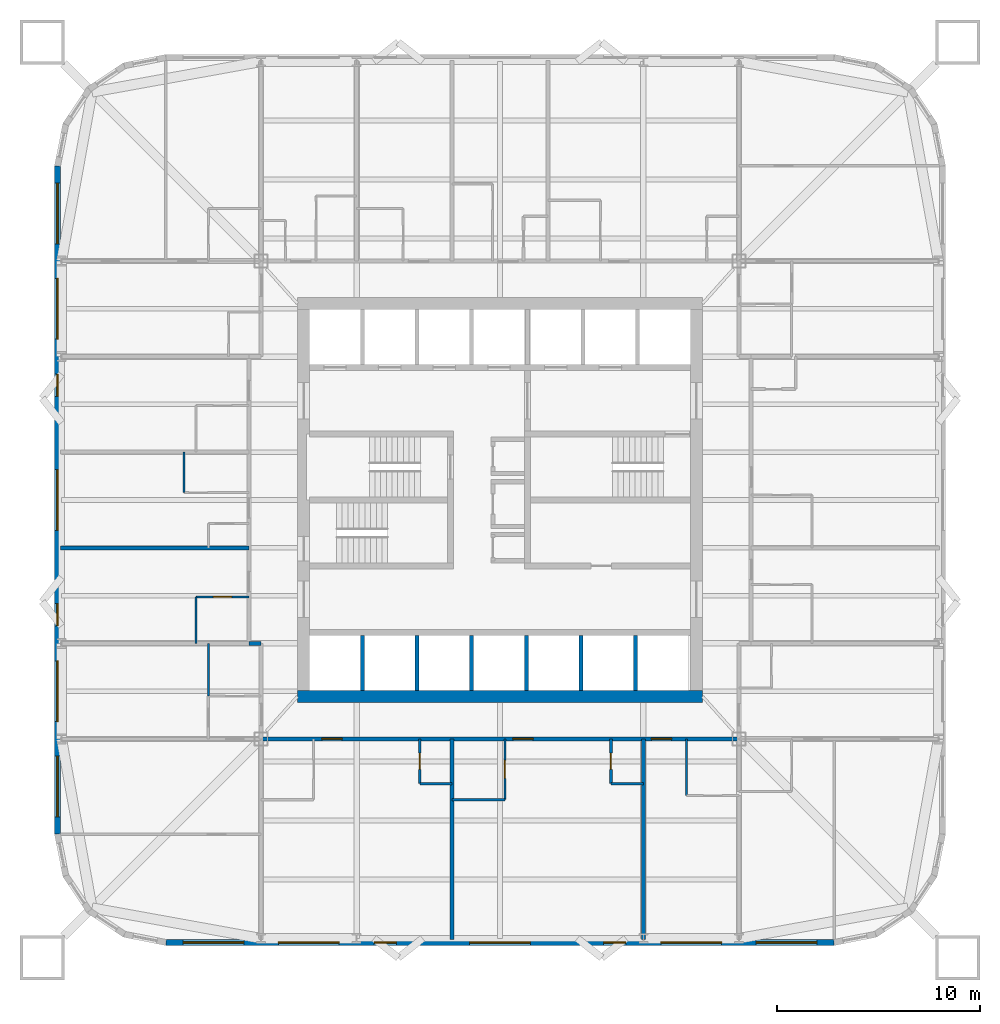
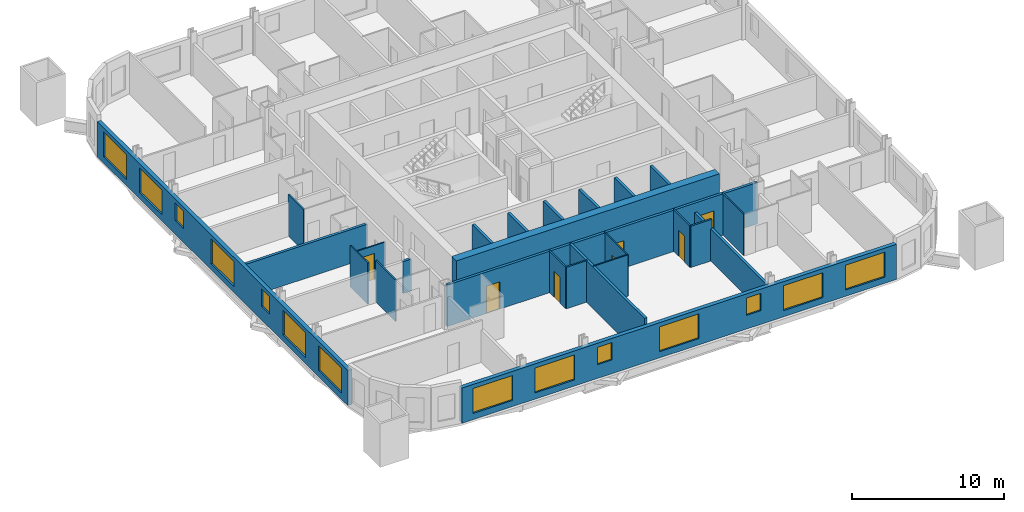
# One storey, part 3 of 9: 25 walls, 14 windows, 7 doors, 21 openings.
"""IFC4 building model written with IfcOpenShell, lengths in metres."""

from ifc_helpers import new_model, si_unit, direction, frame, frame_2d, origin, place, context, subcontext, project, spatial, rectangle, extrude, material, layer, layer_set, type_object, element, fill, save


model = new_model("IFC4")

# Units and contexts
model_context = context("Model", 3, precision=1e-05, world=origin(), true_north=direction((0.0, 1.0)))
body_context = subcontext(model_context, "Body", "Model", "MODEL_VIEW")
ifc_project = project(units=[si_unit("LENGTHUNIT", "METRE"), si_unit("AREAUNIT", "SQUARE_METRE"), si_unit("VOLUMEUNIT", "CUBIC_METRE"), si_unit("PLANEANGLEUNIT", "RADIAN"), si_unit("MASSUNIT", "GRAM", prefix="KILO")], contexts=[model_context])

# Site, building, storey
site_placement = place(None, origin())
site = spatial("IfcSite", under=ifc_project, at=site_placement, CompositionType="ELEMENT")
building_placement = place(site_placement, origin())
building = spatial("IfcBuilding", under=site, at=building_placement, Name="Turquesa Mirador Hotel Tower", CompositionType="ELEMENT")
storey_placement = place(building_placement, frame((0.0, 0.0, 49.5)))
storey = spatial("IfcBuildingStorey", under=building, at=storey_placement, Name="L12", CompositionType="ELEMENT", Elevation=49.5)

# Wall
ifc_material_1 = material(Name="Gypsum board on steel studs", Category="steel")
ifc_layer_1 = layer(ifc_material_1, 0.10009765625)
ifc_layer_set_1 = layer_set([ifc_layer_1], Name="BATHROOM WALL 100")
wall_type_1 = type_object("IfcWallType", Name="BATHROOM WALL 100", PredefinedType="PARTITIONING", material=ifc_layer_set_1)
wall_1_placement = place(storey_placement, frame((52.639892578125, 30.199951171875, 0.0), z_axis=(0.0, 0.0, 1.0), x_axis=(1.0, 0.0, 0.0)))
element("IfcWall", 1, at=wall_1_placement, inside=storey, type_object=wall_type_1, Name="Partition L12 011", PredefinedType="PARTITIONING", context=body_context, shape_type="SweptSolid", body=[
    extrude(rectangle(XDim=2.60009765625, YDim=0.10009765625, at=frame_2d((1.300048828125, 0.0))), origin(), (0.0, 0.0, 1.0), 3.330078125),
])

# Wall, opening, door
wall_2_placement = place(storey_placement, frame((40.0, 40.219970703125, 0.0), z_axis=(0.0, 0.0, 1.0), x_axis=(1.0, 0.0, 0.0)))
wall_2 = element("IfcWall", 2, at=wall_2_placement, inside=storey, type_object=wall_type_1, Name="Partition L12 016", PredefinedType="PARTITIONING", context=body_context, shape_type="SweptSolid", body=[
    extrude(rectangle(XDim=2.60009765625, YDim=0.10009765625, at=frame_2d((1.300048828125, 0.0))), origin(), (0.0, 0.0, 1.0), 2.722900390625),
])
opening_1_placement = place(wall_2_placement, frame((0.85009765625, 0.0, 0.0)))
opening_1 = element("IfcOpeningElement", 3, at=opening_1_placement, cuts=wall_2, Name="Opening D02", PredefinedType="OPENING", context=body_context, shape_type="SweptSolid", body=[
    extrude(rectangle(XDim=0.89990234375, YDim=2.10009765625, at=frame_2d((0.449951171875, 1.050048828125))), frame((0.0, 0.06005859375, 0.0), z_axis=(0.0, -1.0, 0.0), x_axis=(1.0, 0.0, 0.0)), (0.0, 0.0, 1.0), 0.1201171875),
])
ifc_material_2 = material(Name="Timber veneered door", Category="wood")
door_type_1 = type_object("IfcDoorType", Name="DOOR 900X2100 EN-SUITE", OperationType="SINGLE_SWING_RIGHT", PredefinedType="DOOR", material=ifc_material_2)
door_1_placement = place(opening_1_placement, origin())
door_1 = element("IfcDoor", 4, at=door_1_placement, inside=storey, type_object=door_type_1, Name="Door 1210B", OperationType="SINGLE_SWING_RIGHT", OverallHeight=2.10009765625, OverallWidth=0.89990234375, PredefinedType="DOOR", context=body_context, shape_type="SweptSolid", body=[
    extrude(rectangle(XDim=0.89990234375, YDim=2.10009765625, at=frame_2d((0.449951171875, 1.050048828125))), frame((0.0, 0.02490234375, 0.0), z_axis=(0.0, -1.0, 0.0), x_axis=(1.0, 0.0, 0.0)), (0.0, 0.0, 1.0), 0.050048828125),
])
fill(opening_1, door_1)

# Walls
wall_3_placement = place(storey_placement, frame((40.60009765625, 35.320068359375, 0.0), z_axis=(0.0, 0.0, 1.0), x_axis=(0.0, 1.0, 0.0)))
element("IfcWall", 5, at=wall_3_placement, inside=storey, type_object=wall_type_1, Name="Partition L12 056", PredefinedType="PARTITIONING", context=body_context, shape_type="SweptSolid", body=[
    extrude(rectangle(XDim=2.599853515625, YDim=0.10009765625, at=frame_2d((1.2998046875, 0.0))), origin(), (0.0, 0.0, 1.0), 3.330078125),
])
wall_4_placement = place(storey_placement, frame((40.0, 37.919921875, 0.0), z_axis=(0.0, 0.0, 1.0), x_axis=(0.0, 1.0, 0.0)))
element("IfcWall", 6, at=wall_4_placement, inside=storey, type_object=wall_type_1, Name="Partition L12 060", PredefinedType="PARTITIONING", context=body_context, shape_type="SweptSolid", body=[
    extrude(rectangle(XDim=2.300048828125, YDim=0.10009765625, at=frame_2d((1.14990234375, 0.0))), origin(), (0.0, 0.0, 1.0), 3.330078125),
])
wall_5_placement = place(storey_placement, frame((39.39990234375, 45.360107421875, 0.0), z_axis=(0.0, 0.0, 1.0), x_axis=(0.0, 1.0, 0.0)))
element("IfcWall", 7, at=wall_5_placement, inside=storey, type_object=wall_type_1, Name="Partition L12 062", PredefinedType="PARTITIONING", context=body_context, shape_type="SweptSolid", body=[
    extrude(rectangle(XDim=2.0, YDim=0.10009765625, at=frame_2d((1.0, 0.0))), origin(), (0.0, 0.0, 1.0), 3.330078125),
])

# Wall, opening, door
wall_6_placement = place(storey_placement, frame((55.239990234375, 30.199951171875, 0.0), z_axis=(0.0, 0.0, 1.0), x_axis=(0.0, 1.0, 0.0)))
wall_6 = element("IfcWall", 8, at=wall_6_placement, inside=storey, type_object=wall_type_1, Name="Partition L12 071", PredefinedType="PARTITIONING", context=body_context, shape_type="SweptSolid", body=[
    extrude(rectangle(XDim=3.0, YDim=0.10009765625, at=frame_2d((1.5, 0.0))), origin(), (0.0, 0.0, 1.0), 3.330078125),
])
opening_2_placement = place(wall_6_placement, frame((1.050048828125, 0.0, 0.0)))
opening_2 = element("IfcOpeningElement", 9, at=opening_2_placement, cuts=wall_6, Name="Opening D02", PredefinedType="OPENING", context=body_context, shape_type="SweptSolid", body=[
    extrude(rectangle(XDim=0.89990234375, YDim=2.10009765625, at=frame_2d((0.449951171875, 1.050048828125))), frame((0.0, 0.06005859375, 0.0), z_axis=(0.0, -1.0, 0.0), x_axis=(1.0, 0.0, 0.0)), (0.0, 0.0, 1.0), 0.1201171875),
])
door_2_placement = place(opening_2_placement, origin())
door_2 = element("IfcDoor", 10, at=door_2_placement, inside=storey, type_object=door_type_1, Name="Door 1206B", OperationType="SINGLE_SWING_RIGHT", OverallHeight=2.10009765625, OverallWidth=0.89990234375, PredefinedType="DOOR", context=body_context, shape_type="SweptSolid", body=[
    extrude(rectangle(XDim=0.89990234375, YDim=2.10009765625, at=frame_2d((0.449951171875, 1.050048828125))), frame((0.0, 0.02490234375, 0.0), z_axis=(0.0, -1.0, 0.0), x_axis=(1.0, 0.0, 0.0)), (0.0, 0.0, 1.0), 0.050048828125),
])
fill(opening_2, door_2)

# Walls
wall_7_placement = place(storey_placement, frame((64.199951171875, 30.39990234375, 0.0), z_axis=(0.0, 0.0, 1.0), x_axis=(0.0, 1.0, 0.0)))
element("IfcWall", 11, at=wall_7_placement, inside=storey, type_object=wall_type_1, Name="Partition L12 092", PredefinedType="PARTITIONING", context=body_context, shape_type="SweptSolid", body=[
    extrude(rectangle(XDim=2.800048828125, YDim=0.10009765625, at=frame_2d((1.39990234375, 0.0))), origin(), (0.0, 0.0, 1.0), 3.330078125),
])
ifc_material_3 = material(Name="Concrete C50/60", Category="concrete")
ifc_layer_2 = layer(ifc_material_3, 0.60009765625)
ifc_layer_set_2 = layer_set([ifc_layer_2], Name="CORE WALL 600")
wall_type_2 = type_object("IfcWallType", Name="CORE WALL 600", PredefinedType="SHEAR", material=ifc_layer_set_2)
wall_8_placement = place(storey_placement, frame((45.0, 35.300048828125, 0.0), z_axis=(0.0, 0.0, 1.0), x_axis=(1.0, 0.0, 0.0)))
element("IfcWall", 12, at=wall_8_placement, inside=storey, type_object=wall_type_2, Name="Core wall S", PredefinedType="SHEAR", context=body_context, shape_type="SweptSolid", body=[
    extrude(rectangle(XDim=20.0, YDim=0.60009765625, at=frame_2d((10.0, 0.0))), origin(), (0.0, 0.0, 1.0), 3.5),
])

# Wall, openings, doors
ifc_material_4 = material(Name="Fire-rated gypsum board on steel studs", Category="steel")
ifc_layer_3 = layer(ifc_material_4, 0.199951171875)
ifc_layer_set_3 = layer_set([ifc_layer_3], Name="CORRIDOR WALL 200")
wall_type_3 = type_object("IfcWallType", Name="CORRIDOR WALL 200", PredefinedType="PARTITIONING", material=ifc_layer_set_3)
wall_9_placement = place(storey_placement, frame((43.199951171875, 33.199951171875, 0.0), z_axis=(0.0, 0.0, 1.0), x_axis=(1.0, 0.0, 0.0)))
wall_9 = element("IfcWall", 13, at=wall_9_placement, inside=storey, type_object=wall_type_3, Name="Partition L12 003", PredefinedType="PARTITIONING", context=body_context, shape_type="SweptSolid", body=[
    extrude(rectangle(XDim=23.60009765625, YDim=0.199951171875, at=frame_2d((11.800048828125, 0.0))), origin(), (0.0, 0.0, 1.0), 3.330078125),
])
opening_3_placement = place(wall_9_placement, frame((3.0, 0.0, 0.0)))
opening_3 = element("IfcOpeningElement", 14, at=opening_3_placement, cuts=wall_9, Name="Opening D01", PredefinedType="OPENING", context=body_context, shape_type="SweptSolid", body=[
    extrude(rectangle(XDim=1.0, YDim=2.199951171875, at=frame_2d((0.5, 1.10009765625))), frame((0.0, 0.10986328125, 0.0), z_axis=(0.0, -1.0, 0.0), x_axis=(1.0, 0.0, 0.0)), (0.0, 0.0, 1.0), 0.219970703125),
])
opening_4_placement = place(wall_9_placement, frame((12.43994140625, 0.0, 0.0)))
opening_4 = element("IfcOpeningElement", 15, at=opening_4_placement, cuts=wall_9, Name="Opening D01", PredefinedType="OPENING", context=body_context, shape_type="SweptSolid", body=[
    extrude(rectangle(XDim=1.0, YDim=2.199951171875, at=frame_2d((0.5, 1.10009765625))), frame((0.0, 0.10986328125, 0.0), z_axis=(0.0, -1.0, 0.0), x_axis=(1.0, 0.0, 0.0)), (0.0, 0.0, 1.0), 0.219970703125),
])
opening_5_placement = place(wall_9_placement, frame((19.280029296875, 0.0, 0.0)))
opening_5 = element("IfcOpeningElement", 16, at=opening_5_placement, cuts=wall_9, Name="Opening D01", PredefinedType="OPENING", context=body_context, shape_type="SweptSolid", body=[
    extrude(rectangle(XDim=1.0, YDim=2.199951171875, at=frame_2d((0.5, 1.10009765625))), frame((0.0, 0.10986328125, 0.0), z_axis=(0.0, -1.0, 0.0), x_axis=(1.0, 0.0, 0.0)), (0.0, 0.0, 1.0), 0.219970703125),
])
ifc_material_5 = material(Name="Timber veneered fire door", Category="wood")
door_type_2 = type_object("IfcDoorType", Name="DOOR 1000X2200 GUEST ENTRY", OperationType="SINGLE_SWING_LEFT", PredefinedType="DOOR", material=ifc_material_5)
door_3_placement = place(opening_3_placement, origin())
door_3 = element("IfcDoor", 17, at=door_3_placement, inside=storey, type_object=door_type_2, Name="Door 1205", OperationType="SINGLE_SWING_LEFT", OverallHeight=2.199951171875, OverallWidth=1.0, PredefinedType="DOOR", context=body_context, shape_type="SweptSolid", body=[
    extrude(rectangle(XDim=1.0, YDim=2.199951171875, at=frame_2d((0.5, 1.10009765625))), frame((0.0, 0.02490234375, 0.0), z_axis=(0.0, -1.0, 0.0), x_axis=(1.0, 0.0, 0.0)), (0.0, 0.0, 1.0), 0.050048828125),
])
fill(opening_3, door_3)
door_4_placement = place(opening_4_placement, origin())
door_4 = element("IfcDoor", 18, at=door_4_placement, inside=storey, type_object=door_type_2, Name="Door 1206", OperationType="SINGLE_SWING_LEFT", OverallHeight=2.199951171875, OverallWidth=1.0, PredefinedType="DOOR", context=body_context, shape_type="SweptSolid", body=[
    extrude(rectangle(XDim=1.0, YDim=2.199951171875, at=frame_2d((0.5, 1.10009765625))), frame((0.0, 0.02490234375, 0.0), z_axis=(0.0, -1.0, 0.0), x_axis=(1.0, 0.0, 0.0)), (0.0, 0.0, 1.0), 0.050048828125),
])
fill(opening_4, door_4)
door_5_placement = place(opening_5_placement, origin())
door_5 = element("IfcDoor", 19, at=door_5_placement, inside=storey, type_object=door_type_2, Name="Door 1207", OperationType="SINGLE_SWING_LEFT", OverallHeight=2.199951171875, OverallWidth=1.0, PredefinedType="DOOR", context=body_context, shape_type="SweptSolid", body=[
    extrude(rectangle(XDim=1.0, YDim=2.199951171875, at=frame_2d((0.5, 1.10009765625))), frame((0.0, 0.02490234375, 0.0), z_axis=(0.0, -1.0, 0.0), x_axis=(1.0, 0.0, 0.0)), (0.0, 0.0, 1.0), 0.050048828125),
])
fill(opening_5, door_5)

# Wall
wall_10_placement = place(storey_placement, frame((42.60009765625, 37.919921875, 0.0), z_axis=(0.0, 0.0, 1.0), x_axis=(1.0, 0.0, 0.0)))
element("IfcWall", 20, at=wall_10_placement, inside=storey, type_object=wall_type_3, Name="Partition L12 017", PredefinedType="PARTITIONING", context=body_context, shape_type="SweptSolid", body=[
    extrude(rectangle(XDim=0.599853515625, YDim=0.199951171875, at=frame_2d((0.2998046875, 0.0))), origin(), (0.0, 0.0, 1.0), 2.572998046875),
])

# Wall, openings, windows
ifc_material_6 = material(Name="Limestone cladding on concrete block", Category="masonry")
ifc_layer_4 = layer(ifc_material_6, 0.300048828125)
ifc_layer_set_4 = layer_set([ifc_layer_4], Name="FACADE WALL 300 STONE SCREEN")
wall_type_4 = type_object("IfcWallType", Name="FACADE WALL 300 STONE SCREEN", PredefinedType="SOLIDWALL", material=ifc_layer_set_4)
wall_11_placement = place(storey_placement, frame((33.14990234375, 61.5, 0.0), z_axis=(0.0, 0.0, 1.0), x_axis=(0.0, -1.0, 0.0)))
wall_11 = element("IfcWall", 21, at=wall_11_placement, inside=storey, type_object=wall_type_4, Name="Facade wall L12 14", PredefinedType="SOLIDWALL", context=body_context, shape_type="SweptSolid", body=[
    extrude(rectangle(XDim=33.0, YDim=0.300048828125, at=frame_2d((16.5, 0.0))), origin(), (0.0, 0.0, 1.0), 2.830078125),
])
opening_6_placement = place(wall_11_placement, frame((0.85009765625, 0.0, 0.5)))
opening_6 = element("IfcOpeningElement", 22, at=opening_6_placement, cuts=wall_11, Name="Opening WN1", PredefinedType="OPENING", context=body_context, shape_type="SweptSolid", body=[
    extrude(rectangle(XDim=3.0, YDim=2.0, at=frame_2d((1.5, 1.0))), frame((0.0, 0.159912109375, 0.0), z_axis=(0.0, -1.0, 0.0), x_axis=(1.0, 0.0, 0.0)), (0.0, 0.0, 1.0), 0.320068359375),
])
opening_7_placement = place(wall_11_placement, frame((5.56005859375, 0.0, 0.5)))
opening_7 = element("IfcOpeningElement", 23, at=opening_7_placement, cuts=wall_11, Name="Opening WN1", PredefinedType="OPENING", context=body_context, shape_type="SweptSolid", body=[
    extrude(rectangle(XDim=3.0, YDim=2.0, at=frame_2d((1.5, 1.0))), frame((0.0, 0.159912109375, 0.0), z_axis=(0.0, -1.0, 0.0), x_axis=(1.0, 0.0, 0.0)), (0.0, 0.0, 1.0), 0.320068359375),
])
opening_8_placement = place(wall_11_placement, frame((10.280029296875, 0.0, 1.10009765625)))
opening_8 = element("IfcOpeningElement", 24, at=opening_8_placement, cuts=wall_11, Name="Opening WN37", PredefinedType="OPENING", context=body_context, shape_type="SweptSolid", body=[
    extrude(rectangle(XDim=1.10009765625, YDim=1.39990234375, at=frame_2d((0.550048828125, 0.699951171875))), frame((0.0, 0.159912109375, 0.0), z_axis=(0.0, -1.0, 0.0), x_axis=(1.0, 0.0, 0.0)), (0.0, 0.0, 1.0), 0.320068359375),
])
opening_9_placement = place(wall_11_placement, frame((15.0, 0.0, 0.5)))
opening_9 = element("IfcOpeningElement", 25, at=opening_9_placement, cuts=wall_11, Name="Opening WN1", PredefinedType="OPENING", context=body_context, shape_type="SweptSolid", body=[
    extrude(rectangle(XDim=3.0, YDim=2.0, at=frame_2d((1.5, 1.0))), frame((0.0, 0.159912109375, 0.0), z_axis=(0.0, -1.0, 0.0), x_axis=(1.0, 0.0, 0.0)), (0.0, 0.0, 1.0), 0.320068359375),
])
opening_10_placement = place(wall_11_placement, frame((21.6201171875, 0.0, 1.10009765625)))
opening_10 = element("IfcOpeningElement", 26, at=opening_10_placement, cuts=wall_11, Name="Opening WN37", PredefinedType="OPENING", context=body_context, shape_type="SweptSolid", body=[
    extrude(rectangle(XDim=1.10009765625, YDim=1.39990234375, at=frame_2d((0.550048828125, 0.699951171875))), frame((0.0, 0.159912109375, 0.0), z_axis=(0.0, -1.0, 0.0), x_axis=(1.0, 0.0, 0.0)), (0.0, 0.0, 1.0), 0.320068359375),
])
opening_11_placement = place(wall_11_placement, frame((24.43994140625, 0.0, 0.5)))
opening_11 = element("IfcOpeningElement", 27, at=opening_11_placement, cuts=wall_11, Name="Opening WN1", PredefinedType="OPENING", context=body_context, shape_type="SweptSolid", body=[
    extrude(rectangle(XDim=3.0, YDim=2.0, at=frame_2d((1.5, 1.0))), frame((0.0, 0.159912109375, 0.0), z_axis=(0.0, -1.0, 0.0), x_axis=(1.0, 0.0, 0.0)), (0.0, 0.0, 1.0), 0.320068359375),
])
opening_12_placement = place(wall_11_placement, frame((29.14990234375, 0.0, 0.5)))
opening_12 = element("IfcOpeningElement", 28, at=opening_12_placement, cuts=wall_11, Name="Opening WN1", PredefinedType="OPENING", context=body_context, shape_type="SweptSolid", body=[
    extrude(rectangle(XDim=3.0, YDim=2.0, at=frame_2d((1.5, 1.0))), frame((0.0, 0.159912109375, 0.0), z_axis=(0.0, -1.0, 0.0), x_axis=(1.0, 0.0, 0.0)), (0.0, 0.0, 1.0), 0.320068359375),
])
ifc_material_7 = material(Name="Ceramic-fritted laminated glass", Category="glass")
window_type_1 = type_object("IfcWindowType", Name="FRITTED WINDOW 1100X1400", PartitioningType="DOUBLE_PANEL_HORIZONTAL", PredefinedType="WINDOW", material=ifc_material_7)
window_1_placement = place(opening_8_placement, origin())
window_1 = element("IfcWindow", 29, at=window_1_placement, inside=storey, type_object=window_type_1, Name="Window L12", OverallHeight=1.39990234375, OverallWidth=1.10009765625, PartitioningType="SINGLE_PANEL", PredefinedType="WINDOW", context=body_context, shape_type="SweptSolid", body=[
    extrude(rectangle(XDim=1.10009765625, YDim=1.39990234375, at=frame_2d((0.550048828125, 0.699951171875))), frame((0.0, 0.030029296875, 0.0), z_axis=(0.0, -1.0, 0.0), x_axis=(1.0, 0.0, 0.0)), (0.0, 0.0, 1.0), 0.06005859375),
])
fill(opening_8, window_1)
window_2_placement = place(opening_10_placement, origin())
window_2 = element("IfcWindow", 30, at=window_2_placement, inside=storey, type_object=window_type_1, Name="Window L12", OverallHeight=1.39990234375, OverallWidth=1.10009765625, PartitioningType="SINGLE_PANEL", PredefinedType="WINDOW", context=body_context, shape_type="SweptSolid", body=[
    extrude(rectangle(XDim=1.10009765625, YDim=1.39990234375, at=frame_2d((0.550048828125, 0.699951171875))), frame((0.0, 0.030029296875, 0.0), z_axis=(0.0, -1.0, 0.0), x_axis=(1.0, 0.0, 0.0)), (0.0, 0.0, 1.0), 0.06005859375),
])
fill(opening_10, window_2)
ifc_material_8 = material(Name="Ceramic-fritted laminated glass", Category="glass")
window_type_2 = type_object("IfcWindowType", Name="FRITTED WINDOW 3000X2000", PartitioningType="DOUBLE_PANEL_HORIZONTAL", PredefinedType="WINDOW", material=ifc_material_8)
window_3_placement = place(opening_6_placement, origin())
window_3 = element("IfcWindow", 31, at=window_3_placement, inside=storey, type_object=window_type_2, Name="Window L12", OverallHeight=2.0, OverallWidth=3.0, PartitioningType="SINGLE_PANEL", PredefinedType="WINDOW", context=body_context, shape_type="SweptSolid", body=[
    extrude(rectangle(XDim=3.0, YDim=2.0, at=frame_2d((1.5, 1.0))), frame((0.0, 0.030029296875, 0.0), z_axis=(0.0, -1.0, 0.0), x_axis=(1.0, 0.0, 0.0)), (0.0, 0.0, 1.0), 0.06005859375),
])
fill(opening_6, window_3)
window_4_placement = place(opening_7_placement, origin())
window_4 = element("IfcWindow", 32, at=window_4_placement, inside=storey, type_object=window_type_2, Name="Window L12", OverallHeight=2.0, OverallWidth=3.0, PartitioningType="SINGLE_PANEL", PredefinedType="WINDOW", context=body_context, shape_type="SweptSolid", body=[
    extrude(rectangle(XDim=3.0, YDim=2.0, at=frame_2d((1.5, 1.0))), frame((0.0, 0.030029296875, 0.0), z_axis=(0.0, -1.0, 0.0), x_axis=(1.0, 0.0, 0.0)), (0.0, 0.0, 1.0), 0.06005859375),
])
fill(opening_7, window_4)
window_5_placement = place(opening_9_placement, origin())
window_5 = element("IfcWindow", 33, at=window_5_placement, inside=storey, type_object=window_type_2, Name="Window L12", OverallHeight=2.0, OverallWidth=3.0, PartitioningType="SINGLE_PANEL", PredefinedType="WINDOW", context=body_context, shape_type="SweptSolid", body=[
    extrude(rectangle(XDim=3.0, YDim=2.0, at=frame_2d((1.5, 1.0))), frame((0.0, 0.030029296875, 0.0), z_axis=(0.0, -1.0, 0.0), x_axis=(1.0, 0.0, 0.0)), (0.0, 0.0, 1.0), 0.06005859375),
])
fill(opening_9, window_5)
window_6_placement = place(opening_11_placement, origin())
window_6 = element("IfcWindow", 34, at=window_6_placement, inside=storey, type_object=window_type_2, Name="Window L12", OverallHeight=2.0, OverallWidth=3.0, PartitioningType="SINGLE_PANEL", PredefinedType="WINDOW", context=body_context, shape_type="SweptSolid", body=[
    extrude(rectangle(XDim=3.0, YDim=2.0, at=frame_2d((1.5, 1.0))), frame((0.0, 0.030029296875, 0.0), z_axis=(0.0, -1.0, 0.0), x_axis=(1.0, 0.0, 0.0)), (0.0, 0.0, 1.0), 0.06005859375),
])
fill(opening_11, window_6)
window_7_placement = place(opening_12_placement, origin())
window_7 = element("IfcWindow", 35, at=window_7_placement, inside=storey, type_object=window_type_2, Name="Window L12", OverallHeight=2.0, OverallWidth=3.0, PartitioningType="SINGLE_PANEL", PredefinedType="WINDOW", context=body_context, shape_type="SweptSolid", body=[
    extrude(rectangle(XDim=3.0, YDim=2.0, at=frame_2d((1.5, 1.0))), frame((0.0, 0.030029296875, 0.0), z_axis=(0.0, -1.0, 0.0), x_axis=(1.0, 0.0, 0.0)), (0.0, 0.0, 1.0), 0.06005859375),
])
fill(opening_12, window_7)

wall_12_placement = place(storey_placement, frame((38.5, 23.14990234375, 0.0), z_axis=(0.0, 0.0, 1.0), x_axis=(1.0, 0.0, 0.0)))
wall_12 = element("IfcWall", 36, at=wall_12_placement, inside=storey, type_object=wall_type_4, Name="Facade wall L12 19", PredefinedType="SOLIDWALL", context=body_context, shape_type="SweptSolid", body=[
    extrude(rectangle(XDim=33.0, YDim=0.300048828125, at=frame_2d((16.5, 0.0))), origin(), (0.0, 0.0, 1.0), 2.830078125),
])
opening_13_placement = place(wall_12_placement, frame((0.85009765625, 0.0, 0.5)))
opening_13 = element("IfcOpeningElement", 37, at=opening_13_placement, cuts=wall_12, Name="Opening WN1", PredefinedType="OPENING", context=body_context, shape_type="SweptSolid", body=[
    extrude(rectangle(XDim=3.0, YDim=2.0, at=frame_2d((1.5, 1.0))), frame((0.0, 0.159912109375, 0.0), z_axis=(0.0, -1.0, 0.0), x_axis=(1.0, 0.0, 0.0)), (0.0, 0.0, 1.0), 0.320068359375),
])
opening_14_placement = place(wall_12_placement, frame((5.56005859375, 0.0, 0.5)))
opening_14 = element("IfcOpeningElement", 38, at=opening_14_placement, cuts=wall_12, Name="Opening WN1", PredefinedType="OPENING", context=body_context, shape_type="SweptSolid", body=[
    extrude(rectangle(XDim=3.0, YDim=2.0, at=frame_2d((1.5, 1.0))), frame((0.0, 0.159912109375, 0.0), z_axis=(0.0, -1.0, 0.0), x_axis=(1.0, 0.0, 0.0)), (0.0, 0.0, 1.0), 0.320068359375),
])
opening_15_placement = place(wall_12_placement, frame((10.280029296875, 0.0, 1.10009765625)))
opening_15 = element("IfcOpeningElement", 39, at=opening_15_placement, cuts=wall_12, Name="Opening WN37", PredefinedType="OPENING", context=body_context, shape_type="SweptSolid", body=[
    extrude(rectangle(XDim=1.10009765625, YDim=1.39990234375, at=frame_2d((0.550048828125, 0.699951171875))), frame((0.0, 0.159912109375, 0.0), z_axis=(0.0, -1.0, 0.0), x_axis=(1.0, 0.0, 0.0)), (0.0, 0.0, 1.0), 0.320068359375),
])
opening_16_placement = place(wall_12_placement, frame((15.0, 0.0, 0.5)))
opening_16 = element("IfcOpeningElement", 40, at=opening_16_placement, cuts=wall_12, Name="Opening WN1", PredefinedType="OPENING", context=body_context, shape_type="SweptSolid", body=[
    extrude(rectangle(XDim=3.0, YDim=2.0, at=frame_2d((1.5, 1.0))), frame((0.0, 0.159912109375, 0.0), z_axis=(0.0, -1.0, 0.0), x_axis=(1.0, 0.0, 0.0)), (0.0, 0.0, 1.0), 0.320068359375),
])
opening_17_placement = place(wall_12_placement, frame((21.6201171875, 0.0, 1.10009765625)))
opening_17 = element("IfcOpeningElement", 41, at=opening_17_placement, cuts=wall_12, Name="Opening WN37", PredefinedType="OPENING", context=body_context, shape_type="SweptSolid", body=[
    extrude(rectangle(XDim=1.10009765625, YDim=1.39990234375, at=frame_2d((0.550048828125, 0.699951171875))), frame((0.0, 0.159912109375, 0.0), z_axis=(0.0, -1.0, 0.0), x_axis=(1.0, 0.0, 0.0)), (0.0, 0.0, 1.0), 0.320068359375),
])
opening_18_placement = place(wall_12_placement, frame((24.43994140625, 0.0, 0.5)))
opening_18 = element("IfcOpeningElement", 42, at=opening_18_placement, cuts=wall_12, Name="Opening WN1", PredefinedType="OPENING", context=body_context, shape_type="SweptSolid", body=[
    extrude(rectangle(XDim=3.0, YDim=2.0, at=frame_2d((1.5, 1.0))), frame((0.0, 0.159912109375, 0.0), z_axis=(0.0, -1.0, 0.0), x_axis=(1.0, 0.0, 0.0)), (0.0, 0.0, 1.0), 0.320068359375),
])
opening_19_placement = place(wall_12_placement, frame((29.14990234375, 0.0, 0.5)))
opening_19 = element("IfcOpeningElement", 43, at=opening_19_placement, cuts=wall_12, Name="Opening WN1", PredefinedType="OPENING", context=body_context, shape_type="SweptSolid", body=[
    extrude(rectangle(XDim=3.0, YDim=2.0, at=frame_2d((1.5, 1.0))), frame((0.0, 0.159912109375, 0.0), z_axis=(0.0, -1.0, 0.0), x_axis=(1.0, 0.0, 0.0)), (0.0, 0.0, 1.0), 0.320068359375),
])
window_8_placement = place(opening_15_placement, origin())
window_8 = element("IfcWindow", 44, at=window_8_placement, inside=storey, type_object=window_type_1, Name="Window L12", OverallHeight=1.39990234375, OverallWidth=1.10009765625, PartitioningType="SINGLE_PANEL", PredefinedType="WINDOW", context=body_context, shape_type="SweptSolid", body=[
    extrude(rectangle(XDim=1.10009765625, YDim=1.39990234375, at=frame_2d((0.550048828125, 0.699951171875))), frame((0.0, 0.030029296875, 0.0), z_axis=(0.0, -1.0, 0.0), x_axis=(1.0, 0.0, 0.0)), (0.0, 0.0, 1.0), 0.06005859375),
])
fill(opening_15, window_8)
window_9_placement = place(opening_17_placement, origin())
window_9 = element("IfcWindow", 45, at=window_9_placement, inside=storey, type_object=window_type_1, Name="Window L12", OverallHeight=1.39990234375, OverallWidth=1.10009765625, PartitioningType="SINGLE_PANEL", PredefinedType="WINDOW", context=body_context, shape_type="SweptSolid", body=[
    extrude(rectangle(XDim=1.10009765625, YDim=1.39990234375, at=frame_2d((0.550048828125, 0.699951171875))), frame((0.0, 0.030029296875, 0.0), z_axis=(0.0, -1.0, 0.0), x_axis=(1.0, 0.0, 0.0)), (0.0, 0.0, 1.0), 0.06005859375),
])
fill(opening_17, window_9)
window_10_placement = place(opening_13_placement, origin())
window_10 = element("IfcWindow", 46, at=window_10_placement, inside=storey, type_object=window_type_2, Name="Window L12", OverallHeight=2.0, OverallWidth=3.0, PartitioningType="SINGLE_PANEL", PredefinedType="WINDOW", context=body_context, shape_type="SweptSolid", body=[
    extrude(rectangle(XDim=3.0, YDim=2.0, at=frame_2d((1.5, 1.0))), frame((0.0, 0.030029296875, 0.0), z_axis=(0.0, -1.0, 0.0), x_axis=(1.0, 0.0, 0.0)), (0.0, 0.0, 1.0), 0.06005859375),
])
fill(opening_13, window_10)
window_11_placement = place(opening_14_placement, origin())
window_11 = element("IfcWindow", 47, at=window_11_placement, inside=storey, type_object=window_type_2, Name="Window L12", OverallHeight=2.0, OverallWidth=3.0, PartitioningType="SINGLE_PANEL", PredefinedType="WINDOW", context=body_context, shape_type="SweptSolid", body=[
    extrude(rectangle(XDim=3.0, YDim=2.0, at=frame_2d((1.5, 1.0))), frame((0.0, 0.030029296875, 0.0), z_axis=(0.0, -1.0, 0.0), x_axis=(1.0, 0.0, 0.0)), (0.0, 0.0, 1.0), 0.06005859375),
])
fill(opening_14, window_11)
window_12_placement = place(opening_16_placement, origin())
window_12 = element("IfcWindow", 48, at=window_12_placement, inside=storey, type_object=window_type_2, Name="Window L12", OverallHeight=2.0, OverallWidth=3.0, PartitioningType="SINGLE_PANEL", PredefinedType="WINDOW", context=body_context, shape_type="SweptSolid", body=[
    extrude(rectangle(XDim=3.0, YDim=2.0, at=frame_2d((1.5, 1.0))), frame((0.0, 0.030029296875, 0.0), z_axis=(0.0, -1.0, 0.0), x_axis=(1.0, 0.0, 0.0)), (0.0, 0.0, 1.0), 0.06005859375),
])
fill(opening_16, window_12)
window_13_placement = place(opening_18_placement, origin())
window_13 = element("IfcWindow", 49, at=window_13_placement, inside=storey, type_object=window_type_2, Name="Window L12", OverallHeight=2.0, OverallWidth=3.0, PartitioningType="SINGLE_PANEL", PredefinedType="WINDOW", context=body_context, shape_type="SweptSolid", body=[
    extrude(rectangle(XDim=3.0, YDim=2.0, at=frame_2d((1.5, 1.0))), frame((0.0, 0.030029296875, 0.0), z_axis=(0.0, -1.0, 0.0), x_axis=(1.0, 0.0, 0.0)), (0.0, 0.0, 1.0), 0.06005859375),
])
fill(opening_18, window_13)
window_14_placement = place(opening_19_placement, origin())
window_14 = element("IfcWindow", 50, at=window_14_placement, inside=storey, type_object=window_type_2, Name="Window L12", OverallHeight=2.0, OverallWidth=3.0, PartitioningType="SINGLE_PANEL", PredefinedType="WINDOW", context=body_context, shape_type="SweptSolid", body=[
    extrude(rectangle(XDim=3.0, YDim=2.0, at=frame_2d((1.5, 1.0))), frame((0.0, 0.030029296875, 0.0), z_axis=(0.0, -1.0, 0.0), x_axis=(1.0, 0.0, 0.0)), (0.0, 0.0, 1.0), 0.06005859375),
])
fill(opening_19, window_14)

# Walls
ifc_material_9 = material(Name="Fire-rated gypsum shaft wall on steel studs", Category="steel")
ifc_layer_5 = layer(ifc_material_9, 0.199951171875)
ifc_layer_set_5 = layer_set([ifc_layer_5], Name="LIFT SHAFT DIVIDER 200")
wall_type_5 = type_object("IfcWallType", Name="LIFT SHAFT DIVIDER 200", PredefinedType="PARTITIONING", material=ifc_layer_set_5)
for number, where, z_axis, x_axis, name in (
    (51, (48.199951171875, 35.60009765625, 0.0), (0.0, 0.0, 1.0), (0.0, 1.0, 0.0), "Lift shaft divider"),
    (52, (50.89990234375, 35.60009765625, 0.0), (0.0, 0.0, 1.0), (0.0, 1.0, 0.0), "Lift shaft divider"),
    (53, (53.60009765625, 35.60009765625, 0.0), (0.0, 0.0, 1.0), (0.0, 1.0, 0.0), "Lift shaft divider"),
    (54, (56.300048828125, 35.60009765625, 0.0), (0.0, 0.0, 1.0), (0.0, 1.0, 0.0), "Lift shaft divider"),
    (55, (59.0, 35.60009765625, 0.0), (0.0, 0.0, 1.0), (0.0, 1.0, 0.0), "Lift shaft divider"),
    (56, (61.699951171875, 35.60009765625, 0.0), (0.0, 0.0, 1.0), (0.0, 1.0, 0.0), "Lift shaft divider"),
):
    element("IfcWall", number, at=place(storey_placement, frame(where, z_axis=z_axis, x_axis=x_axis)), inside=storey, type_object=wall_type_5, Name=name, PredefinedType="PARTITIONING", context=body_context, shape_type="SweptSolid", body=[
        extrude(rectangle(XDim=2.699951171875, YDim=0.199951171875, at=frame_2d((1.35009765625, 0.0))), origin(), (0.0, 0.0, 1.0), 3.330078125),
    ])
ifc_material_10 = material(Name="Fire-rated gypsum board on steel studs", Category="steel")
ifc_layer_6 = layer(ifc_material_10, 0.199951171875)
ifc_layer_set_6 = layer_set([ifc_layer_6], Name="PARTY WALL 200")
wall_type_6 = type_object("IfcWallType", Name="PARTY WALL 200", PredefinedType="PARTITIONING", material=ifc_layer_set_6)
wall_13_placement = place(storey_placement, frame((33.300048828125, 42.639892578125, 0.0), z_axis=(0.0, 0.0, 1.0), x_axis=(1.0, 0.0, 0.0)))
element("IfcWall", 57, at=wall_13_placement, inside=storey, type_object=wall_type_6, Name="Partition L12 013", PredefinedType="PARTITIONING", context=body_context, shape_type="SweptSolid", body=[
    extrude(rectangle(XDim=9.300048828125, YDim=0.199951171875, at=frame_2d((4.64990234375, 0.0))), origin(), (0.0, 0.0, 1.0), 2.722900390625),
])
wall_14_placement = place(storey_placement, frame((52.639892578125, 23.300048828125, 0.0), z_axis=(0.0, 0.0, 1.0), x_axis=(0.0, 1.0, 0.0)))
element("IfcWall", 58, at=wall_14_placement, inside=storey, type_object=wall_type_6, Name="Partition L12 064", PredefinedType="PARTITIONING", context=body_context, shape_type="SweptSolid", body=[
    extrude(rectangle(XDim=9.89990234375, YDim=0.199951171875, at=frame_2d((4.949951171875, 0.0))), origin(), (0.0, 0.0, 1.0), 3.330078125),
])
wall_15_placement = place(storey_placement, frame((62.080078125, 23.300048828125, 0.0), z_axis=(0.0, 0.0, 1.0), x_axis=(0.0, 1.0, 0.0)))
element("IfcWall", 59, at=wall_15_placement, inside=storey, type_object=wall_type_6, Name="Partition L12 091", PredefinedType="PARTITIONING", context=body_context, shape_type="SweptSolid", body=[
    extrude(rectangle(XDim=9.89990234375, YDim=0.199951171875, at=frame_2d((4.949951171875, 0.0))), origin(), (0.0, 0.0, 1.0), 2.572998046875),
])
ifc_material_11 = material(Name="Acoustic gypsum board on steel studs", Category="steel")
ifc_layer_7 = layer(ifc_material_11, 0.125)
ifc_layer_set_7 = layer_set([ifc_layer_7], Name="SUITE PARTITION 125")
wall_type_7 = type_object("IfcWallType", Name="SUITE PARTITION 125", PredefinedType="PARTITIONING", material=ifc_layer_set_7)
wall_16_placement = place(storey_placement, frame((51.0400390625, 31.0, 0.0), z_axis=(0.0, 0.0, 1.0), x_axis=(1.0, 0.0, 0.0)))
element("IfcWall", 60, at=wall_16_placement, inside=storey, type_object=wall_type_7, Name="Partition L12 006", PredefinedType="PARTITIONING", context=body_context, shape_type="SweptSolid", body=[
    extrude(rectangle(XDim=1.599853515625, YDim=0.125, at=frame_2d((0.7998046875, 0.0))), origin(), (0.0, 0.0, 1.0), 3.330078125),
])
wall_17_placement = place(storey_placement, frame((60.47998046875, 31.0, 0.0), z_axis=(0.0, 0.0, 1.0), x_axis=(1.0, 0.0, 0.0)))
element("IfcWall", 61, at=wall_17_placement, inside=storey, type_object=wall_type_7, Name="Partition L12 007", PredefinedType="PARTITIONING", context=body_context, shape_type="SweptSolid", body=[
    extrude(rectangle(XDim=1.60009765625, YDim=0.125, at=frame_2d((0.800048828125, 0.0))), origin(), (0.0, 0.0, 1.0), 3.330078125),
])

# Wall, opening, door
wall_18_placement = place(storey_placement, frame((51.0400390625, 31.0, 0.0), z_axis=(0.0, 0.0, 1.0), x_axis=(0.0, 1.0, 0.0)))
wall_18 = element("IfcWall", 62, at=wall_18_placement, inside=storey, type_object=wall_type_7, Name="Partition L12 066", PredefinedType="PARTITIONING", context=body_context, shape_type="SweptSolid", body=[
    extrude(rectangle(XDim=2.199951171875, YDim=0.125, at=frame_2d((1.10009765625, 0.0))), origin(), (0.0, 0.0, 1.0), 3.330078125),
])
opening_20_placement = place(wall_18_placement, frame((0.699951171875, 0.0, 0.0)))
opening_20 = element("IfcOpeningElement", 63, at=opening_20_placement, cuts=wall_18, Name="Opening D20", PredefinedType="OPENING", context=body_context, shape_type="SweptSolid", body=[
    extrude(rectangle(XDim=0.800048828125, YDim=2.10009765625, at=frame_2d((0.39990234375, 1.050048828125))), frame((0.0, 0.072509765625, 0.0), z_axis=(0.0, -1.0, 0.0), x_axis=(1.0, 0.0, 0.0)), (0.0, 0.0, 1.0), 0.14501953125),
])
ifc_material_12 = material(Name="Timber veneered sliding door", Category="wood")
door_type_3 = type_object("IfcDoorType", Name="DOOR 800X2100 WARDROBE", OperationType="SLIDING_TO_LEFT", PredefinedType="DOOR", material=ifc_material_12)
door_6_placement = place(opening_20_placement, origin())
door_6 = element("IfcDoor", 64, at=door_6_placement, inside=storey, type_object=door_type_3, Name="Door 1205W", OperationType="SLIDING_TO_LEFT", OverallHeight=2.10009765625, OverallWidth=0.800048828125, PredefinedType="DOOR", context=body_context, shape_type="SweptSolid", body=[
    extrude(rectangle(XDim=0.800048828125, YDim=2.10009765625, at=frame_2d((0.39990234375, 1.050048828125))), frame((0.0, 0.02490234375, 0.0), z_axis=(0.0, -1.0, 0.0), x_axis=(1.0, 0.0, 0.0)), (0.0, 0.0, 1.0), 0.050048828125),
])
fill(opening_20, door_6)

wall_19_placement = place(storey_placement, frame((60.47998046875, 31.0, 0.0), z_axis=(0.0, 0.0, 1.0), x_axis=(0.0, 1.0, 0.0)))
wall_19 = element("IfcWall", 65, at=wall_19_placement, inside=storey, type_object=wall_type_7, Name="Partition L12 090", PredefinedType="PARTITIONING", context=body_context, shape_type="SweptSolid", body=[
    extrude(rectangle(XDim=2.199951171875, YDim=0.125, at=frame_2d((1.10009765625, 0.0))), origin(), (0.0, 0.0, 1.0), 3.330078125),
])
opening_21_placement = place(wall_19_placement, frame((0.699951171875, 0.0, 0.0)))
opening_21 = element("IfcOpeningElement", 66, at=opening_21_placement, cuts=wall_19, Name="Opening D20", PredefinedType="OPENING", context=body_context, shape_type="SweptSolid", body=[
    extrude(rectangle(XDim=0.800048828125, YDim=2.10009765625, at=frame_2d((0.39990234375, 1.050048828125))), frame((0.0, 0.072509765625, 0.0), z_axis=(0.0, -1.0, 0.0), x_axis=(1.0, 0.0, 0.0)), (0.0, 0.0, 1.0), 0.14501953125),
])
door_7_placement = place(opening_21_placement, origin())
door_7 = element("IfcDoor", 67, at=door_7_placement, inside=storey, type_object=door_type_3, Name="Door 1206W", OperationType="SLIDING_TO_LEFT", OverallHeight=2.10009765625, OverallWidth=0.800048828125, PredefinedType="DOOR", context=body_context, shape_type="SweptSolid", body=[
    extrude(rectangle(XDim=0.800048828125, YDim=2.10009765625, at=frame_2d((0.39990234375, 1.050048828125))), frame((0.0, 0.02490234375, 0.0), z_axis=(0.0, -1.0, 0.0), x_axis=(1.0, 0.0, 0.0)), (0.0, 0.0, 1.0), 0.050048828125),
])
fill(opening_21, door_7)

save(model, "model.ifc")
